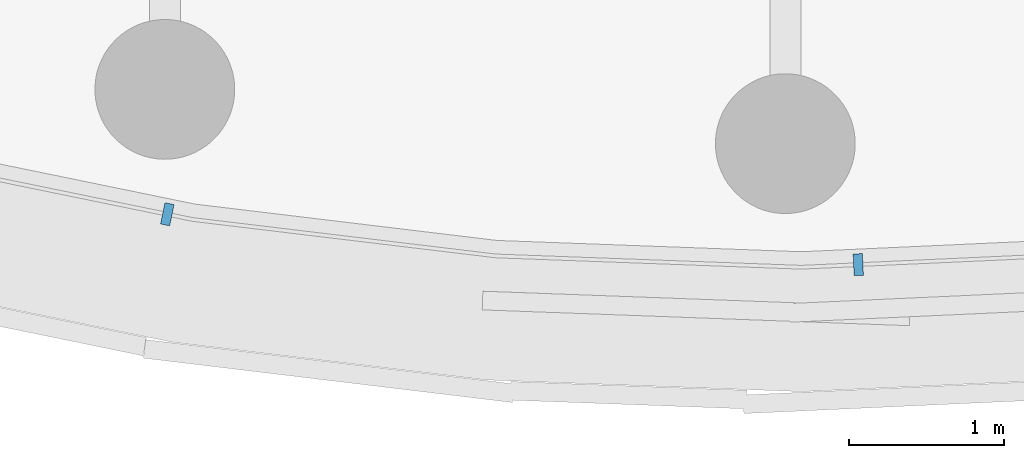
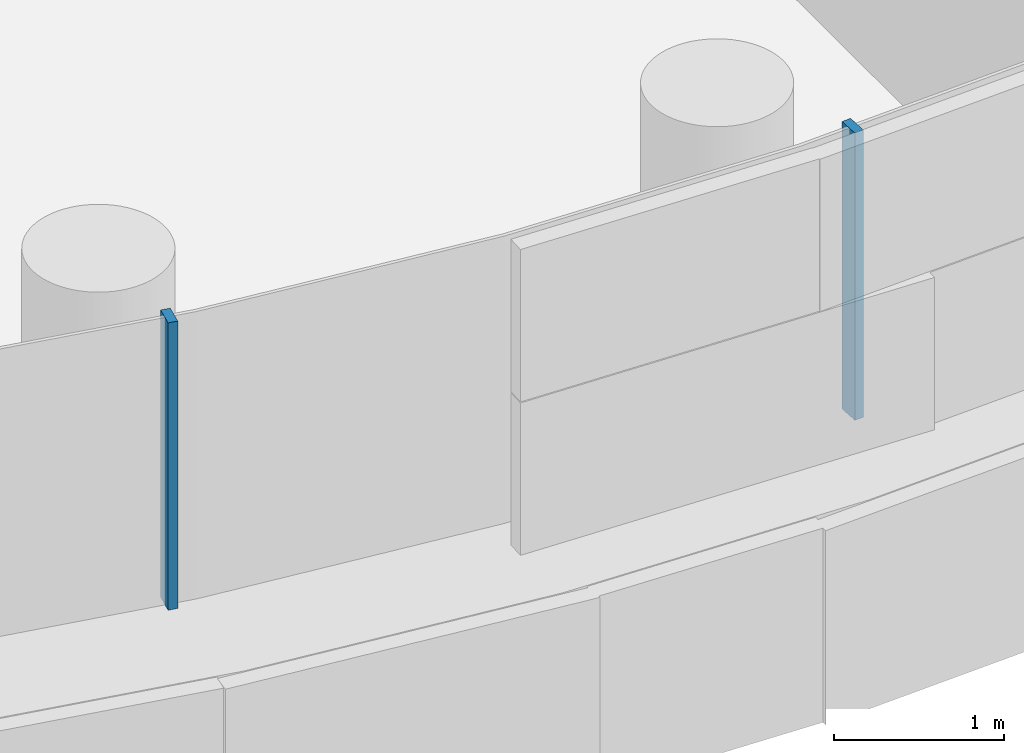
# One storey, part 6 of 26: 2 members, 1 element without a shape of its own.
"""IFC4 building model written with IfcOpenShell, lengths in metres."""

from ifc_helpers import new_model, si_unit, direction, frame, origin, origin_2d, place, context, subcontext, project, spatial, rectangle, extrude, material, layer, layer_set, material_profile, profile_set, type_object, element, aggregate, save


model = new_model("IFC4")

# Units and contexts
model_context = context("Model", 3, precision=1e-05, world=origin(), true_north=direction((0.0, 1.0)))
body_context = subcontext(model_context, "Body", "Model", "MODEL_VIEW")
ifc_project = project(units=[si_unit("LENGTHUNIT", "METRE"), si_unit("AREAUNIT", "SQUARE_METRE"), si_unit("VOLUMEUNIT", "CUBIC_METRE"), si_unit("PLANEANGLEUNIT", "RADIAN"), si_unit("MASSUNIT", "GRAM", prefix="KILO")], contexts=[model_context])

# Site, building, storey
site_placement = place(None, origin())
site = spatial("IfcSite", under=ifc_project, at=site_placement, CompositionType="ELEMENT")
building_placement = place(site_placement, origin())
building = spatial("IfcBuilding", under=site, at=building_placement, Name="Tamarind Cross Interchange Tower", CompositionType="ELEMENT")
storey_placement = place(building_placement, frame((0.0, 0.0, 223.5)))
storey = spatial("IfcBuildingStorey", under=building, at=storey_placement, Name="L56", CompositionType="ELEMENT", Elevation=223.5)

# Curtain wall, members
ifc_material = material(Name="Aluminium 6063-T6", Category="aluminium")
ifc_layer = layer(ifc_material, 0.139892578125)
ifc_layer_set = layer_set([ifc_layer], Name="Aluminium 6063-T6")
curtain_wall_type = type_object("IfcCurtainWallType", Name="Hotel curtain wall, 4.5 m bays", PredefinedType="NOTDEFINED", material=ifc_layer_set)
curtain_wall_placement = place(storey_placement, origin())
curtain_wall = element("IfcCurtainWall", 1, at=curtain_wall_placement, inside=storey, type_object=curtain_wall_type, Name="CWS-L56-02", PredefinedType="NOTDEFINED")
ifc_material_profile = material_profile(ifc_material, rectangle(XDim=0.06005859375, YDim=0.139892578125, at=origin_2d()), Name="Mullion CW2")
ifc_profile_set = profile_set([ifc_material_profile], Name="Aluminium 6063-T6")
member_type = type_object("IfcMemberType", Name="Mullion CW2", PredefinedType="MULLION", material=ifc_profile_set)
member_1_placement = place(storey_placement, frame((-3.977783203125, -23.45458984375, 1.39990234375), z_axis=(0.0, 0.0, 1.0), x_axis=(0.9795909409, -0.201001463943, 0.0)))
member_1 = element("IfcMember", 2, at=member_1_placement, type_object=member_type, Name="CWM-L56-02-05", PredefinedType="MULLION", context=body_context, shape_type="SweptSolid", body=[
    extrude(rectangle(XDim=0.06005859375, YDim=0.139892578125, at=origin_2d()), origin(), (0.0, 0.0, 1.0), 2.06005859375),
])
member_2_placement = place(storey_placement, frame((0.469482421875, -23.77880859375, 1.39990234375), z_axis=(0.0, 0.0, 1.0), x_axis=(0.998958660912, 0.045624486728, 0.0)))
member_2 = element("IfcMember", 3, at=member_2_placement, type_object=member_type, Name="CWM-L56-02-06", PredefinedType="MULLION", context=body_context, shape_type="SweptSolid", body=[
    extrude(rectangle(XDim=0.06005859375, YDim=0.139892578125, at=origin_2d()), origin(), (0.0, 0.0, 1.0), 2.06005859375),
])
aggregate(curtain_wall, [member_1, member_2])

save(model, "model.ifc")
